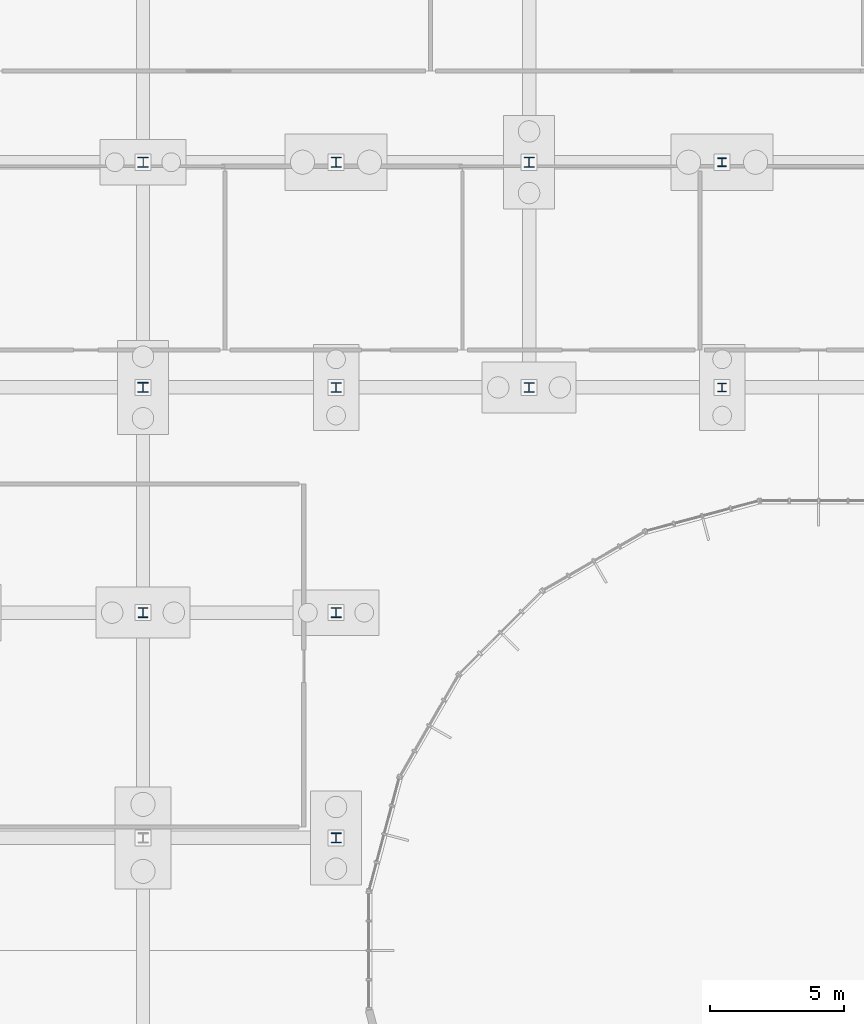
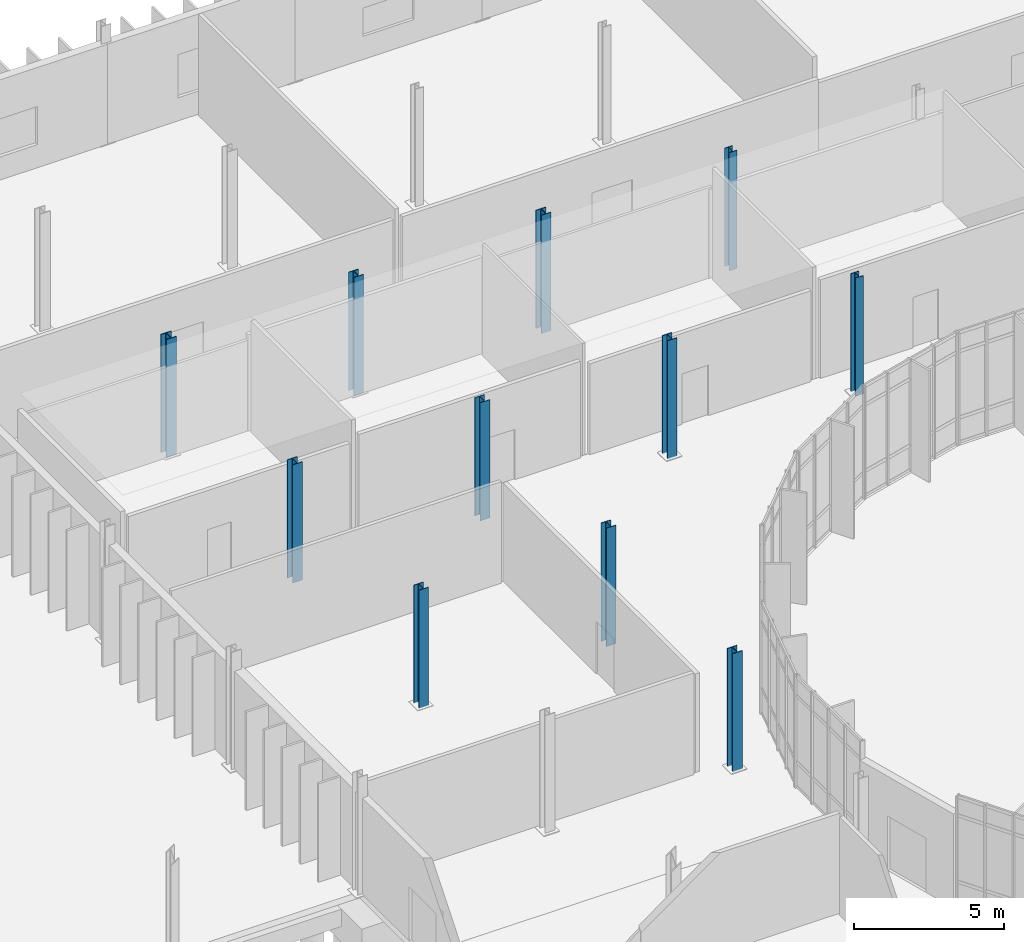
# One storey, part 22 of 118: 11 columns.
"""IFC4 building model written with IfcOpenShell, lengths in metres."""

from ifc_helpers import new_model, si_unit, direction, frame, origin, origin_2d, place, context, subcontext, project, spatial, i_section, extrude, material, material_profile, profile_set, type_object, element, save


model = new_model("IFC4")

# Units and contexts
model_context = context("Model", 3, precision=1e-05, world=origin(), true_north=direction((0.0, 1.0)))
body_context = subcontext(model_context, "Body", "Model", "MODEL_VIEW")
ifc_project = project(units=[si_unit("LENGTHUNIT", "METRE"), si_unit("AREAUNIT", "SQUARE_METRE"), si_unit("VOLUMEUNIT", "CUBIC_METRE"), si_unit("PLANEANGLEUNIT", "RADIAN"), si_unit("MASSUNIT", "GRAM", prefix="KILO")], contexts=[model_context])

# Site, building, storey
site_placement = place(None, origin())
site = spatial("IfcSite", under=ifc_project, at=site_placement, CompositionType="ELEMENT")
building_placement = place(site_placement, origin())
building = spatial("IfcBuilding", under=site, at=building_placement, Name="Qelthora Terrace Specialist Clinic", CompositionType="ELEMENT")
storey_placement = place(building_placement, origin())
storey = spatial("IfcBuildingStorey", under=building, at=storey_placement, Name="L00", CompositionType="ELEMENT", Elevation=0.0)

# Columns
ifc_material = material(Name="Steel S355", Category="steel")
ifc_material_profile_1 = material_profile(ifc_material, i_section(OverallWidth=0.30810546875, OverallDepth=0.318115234375, WebThickness=0.01318359375, FlangeThickness=0.0205078125, FilletRadius=0.01611328125, at=origin_2d()), Name="W310X129")
ifc_profile_set_1 = profile_set([ifc_material_profile_1], Name="Steel S355")
column_type_1 = type_object("IfcColumnType", Name="COL-W310X129", PredefinedType="COLUMN", material=ifc_profile_set_1)
column_1_placement = place(storey_placement, frame((122.39990234375, 84.0, 0.0), z_axis=(0.0, 0.0, 1.0), x_axis=(1.0, 0.0, 0.0)))
element("IfcColumn", 1, at=column_1_placement, inside=storey, type_object=column_type_1, Name="Column L00-203", PredefinedType="COLUMN", context=body_context, shape_type="SweptSolid", body=[
    extrude(i_section(OverallWidth=0.30810546875, OverallDepth=0.318115234375, WebThickness=0.01318359375, FlangeThickness=0.0205078125, FilletRadius=0.01611328125, at=origin_2d()), origin(), (0.0, 0.0, 1.0), 4.800048828125),
])
ifc_material_profile_2 = material_profile(ifc_material, i_section(OverallWidth=0.30908203125, OverallDepth=0.322998046875, WebThickness=0.013916015625, FlangeThickness=0.02294921875, FilletRadius=0.01611328125, at=origin_2d()), Name="W310X143")
ifc_profile_set_2 = profile_set([ifc_material_profile_2], Name="Steel S355")
column_type_2 = type_object("IfcColumnType", Name="COL-W310X143", PredefinedType="COLUMN", material=ifc_profile_set_2)
column_2_placement = place(storey_placement, frame((122.39990234375, 92.39990234375, 0.0), z_axis=(0.0, 0.0, 1.0), x_axis=(1.0, 0.0, 0.0)))
element("IfcColumn", 2, at=column_2_placement, inside=storey, type_object=column_type_2, Name="Column L00-204", PredefinedType="COLUMN", context=body_context, shape_type="SweptSolid", body=[
    extrude(i_section(OverallWidth=0.30908203125, OverallDepth=0.322998046875, WebThickness=0.013916015625, FlangeThickness=0.02294921875, FilletRadius=0.01611328125, at=origin_2d()), origin(), (0.0, 0.0, 1.0), 4.800048828125),
])
ifc_material_profile_3 = material_profile(ifc_material, i_section(OverallWidth=0.37109375, OverallDepth=0.364013671875, WebThickness=0.01318359375, FlangeThickness=0.021728515625, FilletRadius=0.02001953125, at=origin_2d()), Name="W360X162")
ifc_profile_set_3 = profile_set([ifc_material_profile_3], Name="Steel S355")
column_type_3 = type_object("IfcColumnType", Name="COL-W360X162", PredefinedType="COLUMN", material=ifc_profile_set_3)
for number, where, z_axis, x_axis, name in (
    (3, (100.800048828125, 75.60009765625, 0.0), (0.0, 0.0, 1.0), (1.0, 0.0, 0.0), "Column L00-170"),
    (4, (108.0, 84.0, 0.0), (0.0, 0.0, 1.0), (1.0, 0.0, 0.0), "Column L00-185"),
    (5, (115.199951171875, 84.0, 0.0), (0.0, 0.0, 1.0), (1.0, 0.0, 0.0), "Column L00-194"),
):
    element("IfcColumn", number, at=place(storey_placement, frame(where, z_axis=z_axis, x_axis=x_axis)), inside=storey, type_object=column_type_3, Name=name, PredefinedType="COLUMN", context=body_context, shape_type="SweptSolid", body=[
        extrude(i_section(OverallWidth=0.37109375, OverallDepth=0.364013671875, WebThickness=0.01318359375, FlangeThickness=0.021728515625, FilletRadius=0.02001953125, at=origin_2d()), origin(), (0.0, 0.0, 1.0), 4.800048828125),
    ])
ifc_material_profile_4 = material_profile(ifc_material, i_section(OverallWidth=0.373046875, OverallDepth=0.367919921875, WebThickness=0.014892578125, FlangeThickness=0.02392578125, FilletRadius=0.02001953125, at=origin_2d()), Name="W360X179")
ifc_profile_set_4 = profile_set([ifc_material_profile_4], Name="Steel S355")
column_type_4 = type_object("IfcColumnType", Name="COL-W360X179", PredefinedType="COLUMN", material=ifc_profile_set_4)
column_3_placement = place(storey_placement, frame((108.0, 75.60009765625, 0.0), z_axis=(0.0, 0.0, 1.0), x_axis=(1.0, 0.0, 0.0)))
element("IfcColumn", 6, at=column_3_placement, inside=storey, type_object=column_type_4, Name="Column L00-184", PredefinedType="COLUMN", context=body_context, shape_type="SweptSolid", body=[
    extrude(i_section(OverallWidth=0.373046875, OverallDepth=0.367919921875, WebThickness=0.014892578125, FlangeThickness=0.02392578125, FilletRadius=0.02001953125, at=origin_2d()), origin(), (0.0, 0.0, 1.0), 4.800048828125),
])
ifc_material_profile_5 = material_profile(ifc_material, i_section(OverallWidth=0.3740234375, OverallDepth=0.3720703125, WebThickness=0.016357421875, FlangeThickness=0.026123046875, FilletRadius=0.02001953125, at=origin_2d()), Name="W360X196")
ifc_profile_set_5 = profile_set([ifc_material_profile_5], Name="Steel S355")
column_type_5 = type_object("IfcColumnType", Name="COL-W360X196", PredefinedType="COLUMN", material=ifc_profile_set_5)
for number, where, z_axis, x_axis, name in (
    (7, (100.800048828125, 84.0, 0.0), (0.0, 0.0, 1.0), (1.0, 0.0, 0.0), "Column L00-171"),
    (8, (108.0, 67.199951171875, 0.0), (0.0, 0.0, 1.0), (1.0, 0.0, 0.0), "Column L00-183"),
    (9, (108.0, 92.39990234375, 0.0), (0.0, 0.0, 1.0), (1.0, 0.0, 0.0), "Column L00-186"),
    (10, (115.199951171875, 92.39990234375, 0.0), (0.0, 0.0, 1.0), (1.0, 0.0, 0.0), "Column L00-195"),
):
    element("IfcColumn", number, at=place(storey_placement, frame(where, z_axis=z_axis, x_axis=x_axis)), inside=storey, type_object=column_type_5, Name=name, PredefinedType="COLUMN", context=body_context, shape_type="SweptSolid", body=[
        extrude(i_section(OverallWidth=0.3740234375, OverallDepth=0.3720703125, WebThickness=0.016357421875, FlangeThickness=0.026123046875, FilletRadius=0.02001953125, at=origin_2d()), origin(), (0.0, 0.0, 1.0), 4.800048828125),
    ])
ifc_material_profile_6 = material_profile(ifc_material, i_section(OverallWidth=0.39501953125, OverallDepth=0.3798828125, WebThickness=0.018798828125, FlangeThickness=0.0302734375, FilletRadius=0.02001953125, at=origin_2d()), Name="W360X237")
ifc_profile_set_6 = profile_set([ifc_material_profile_6], Name="Steel S355")
column_type_6 = type_object("IfcColumnType", Name="COL-W360X237", PredefinedType="COLUMN", material=ifc_profile_set_6)
column_4_placement = place(storey_placement, frame((100.800048828125, 92.39990234375, 0.0), z_axis=(0.0, 0.0, 1.0), x_axis=(1.0, 0.0, 0.0)))
element("IfcColumn", 11, at=column_4_placement, inside=storey, type_object=column_type_6, Name="Column L00-172", PredefinedType="COLUMN", context=body_context, shape_type="SweptSolid", body=[
    extrude(i_section(OverallWidth=0.39501953125, OverallDepth=0.3798828125, WebThickness=0.018798828125, FlangeThickness=0.0302734375, FilletRadius=0.02001953125, at=origin_2d()), origin(), (0.0, 0.0, 1.0), 4.800048828125),
])

save(model, "model.ifc")
